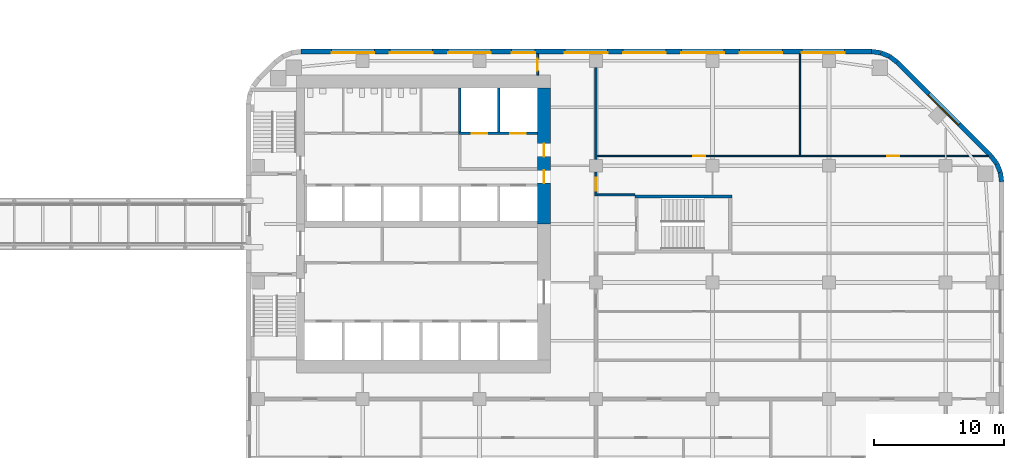
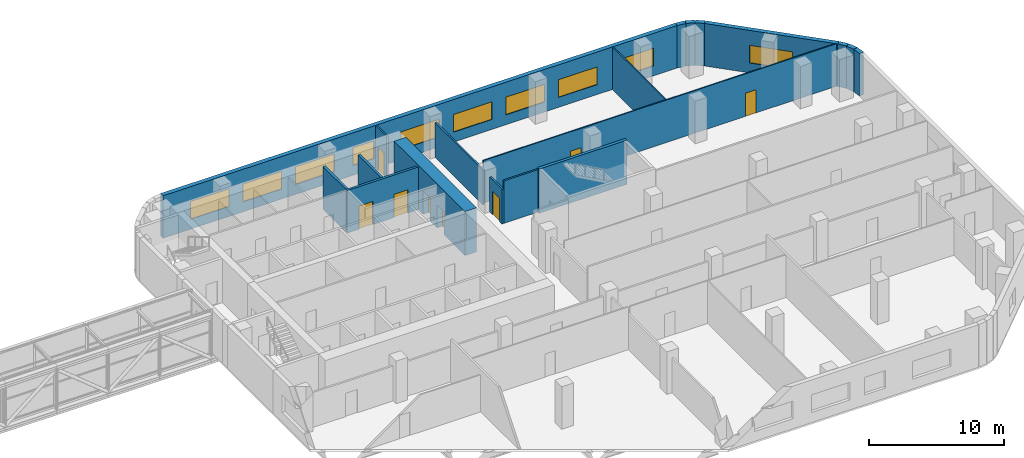
# One storey, part 20 of 24: 19 walls, 10 windows, 8 doors, 18 openings.
"""IFC4 building model written with IfcOpenShell, lengths in metres."""

from ifc_helpers import new_model, si_unit, direction, frame, frame_2d, origin, place, context, subcontext, project, spatial, rectangle, extrude, material, layer, layer_set, type_object, element, fill, save


model = new_model("IFC4")

# Units and contexts
model_context = context("Model", 3, precision=1e-05, world=origin(), true_north=direction((0.0, 1.0)))
body_context = subcontext(model_context, "Body", "Model", "MODEL_VIEW")
ifc_project = project(units=[si_unit("LENGTHUNIT", "METRE"), si_unit("AREAUNIT", "SQUARE_METRE"), si_unit("VOLUMEUNIT", "CUBIC_METRE"), si_unit("PLANEANGLEUNIT", "RADIAN"), si_unit("MASSUNIT", "GRAM", prefix="KILO")], contexts=[model_context])

# Site, building, storey
site_placement = place(None, origin())
site = spatial("IfcSite", under=ifc_project, at=site_placement, CompositionType="ELEMENT")
building_placement = place(site_placement, origin())
building = spatial("IfcBuilding", under=site, at=building_placement, Name="Cinnabar Reach Civic Tower", CompositionType="ELEMENT")
storey_placement = place(building_placement, frame((0.0, 0.0, 71.0)))
storey = spatial("IfcBuildingStorey", under=building, at=storey_placement, Name="L16", CompositionType="ELEMENT", Elevation=71.0)

# Walls
ifc_material_1 = material(Name="Facing brick with insulated backing", Category="masonry")
ifc_layer_1 = layer(ifc_material_1, 0.36)
ifc_layer_set_1 = layer_set([ifc_layer_1], Name="Brick corner wall")
wall_type_1 = type_object("IfcWallType", Name="Brick corner wall", PredefinedType="STANDARD", material=ifc_layer_set_1)
for number, where, z_axis, x_axis, name in (
    (1, (58.317, 34.7686, 0.0), (0.0, 0.0, 1.0), (-0.13055608231, 0.99144092581, 0.0), "Brick corner wall"),
    (2, (58.2181, 35.4973, 0.0), (0.0, 0.0, 1.0), (-0.382702709855, 0.923871547278, 0.0), "Brick corner wall"),
):
    element("IfcWall", number, at=place(storey_placement, frame(where, z_axis=z_axis, x_axis=x_axis)), inside=storey, type_object=wall_type_1, Name=name, PredefinedType="STANDARD", context=body_context, shape_type="SweptSolid", body=[
        extrude(rectangle(XDim=0.7131, YDim=0.36, at=frame_2d((0.3565, 0.0))), origin(), (0.0, 0.0, 1.0), 3.85),
    ])
for number, where, z_axis, x_axis, name in (
    (3, (57.934, 36.1755, 0.0), (0.0, 0.0, 1.0), (-0.608802368033, 0.793321924995, 0.0), "Brick corner wall"),
    (4, (50.2413, 43.9998, 0.0), (0.0, 0.0, 1.0), (-0.793321924995, 0.608802368033, 0.0), "Brick corner wall"),
):
    element("IfcWall", number, at=place(storey_placement, frame(where, z_axis=z_axis, x_axis=x_axis)), inside=storey, type_object=wall_type_1, Name=name, PredefinedType="STANDARD", context=body_context, shape_type="SweptSolid", body=[
        extrude(rectangle(XDim=0.7132, YDim=0.36, at=frame_2d((0.3566, 0.0))), origin(), (0.0, 0.0, 1.0), 3.85),
    ])
for number, where, z_axis, x_axis, name in (
    (5, (49.6561, 44.4452, 0.0), (0.0, 0.0, 1.0), (-0.923871547278, 0.382702709855, 0.0), "Brick corner wall"),
    (6, (48.9756, 44.7239, 0.0), (0.0, 0.0, 1.0), (-0.99144092581, 0.13055608231, 0.0), "Brick corner wall"),
):
    element("IfcWall", number, at=place(storey_placement, frame(where, z_axis=z_axis, x_axis=x_axis)), inside=storey, type_object=wall_type_1, Name=name, PredefinedType="STANDARD", context=body_context, shape_type="SweptSolid", body=[
        extrude(rectangle(XDim=0.7131, YDim=0.36, at=frame_2d((0.3565, 0.0))), origin(), (0.0, 0.0, 1.0), 3.85),
    ])

# Wall, opening, window
ifc_layer_2 = layer(ifc_material_1, 0.36)
ifc_layer_set_2 = layer_set([ifc_layer_2], Name="Brick pier and spandrel wall")
wall_type_2 = type_object("IfcWallType", Name="Brick pier and spandrel wall", PredefinedType="STANDARD", material=ifc_layer_set_2)
wall_1_placement = place(storey_placement, frame((57.494, 36.7514, 0.0), z_axis=(0.0, 0.0, 1.0), x_axis=(-0.707106781187, 0.707106781187, 0.0)))
wall_1 = element("IfcWall", 7, at=wall_1_placement, inside=storey, type_object=wall_type_2, Name="Brick facade wall", PredefinedType="STANDARD", context=body_context, shape_type="SweptSolid", body=[
    extrude(rectangle(XDim=10.2426, YDim=0.36, at=frame_2d((5.1213, 0.0))), origin(), (0.0, 0.0, 1.0), 3.85),
])
opening_1_placement = place(wall_1_placement, frame((3.4713, 0.0, 0.9)))
opening_1 = element("IfcOpeningElement", 8, at=opening_1_placement, cuts=wall_1, Name="Opening W1308", PredefinedType="OPENING", context=body_context, shape_type="SweptSolid", body=[
    extrude(rectangle(XDim=3.3, YDim=1.6, at=frame_2d((1.65, 0.8))), frame((0.0, 0.19, 0.0), z_axis=(0.0, -1.0, 0.0), x_axis=(1.0, 0.0, 0.0)), (0.0, 0.0, 1.0), 0.38),
])
ifc_material_2 = material(Name="Clear double glazing in aluminium frame", Category="aluminium")
window_type_1 = type_object("IfcWindowType", Name="Deep-set window A", PartitioningType="SINGLE_PANEL", PredefinedType="WINDOW", material=ifc_material_2)
window_1_placement = place(opening_1_placement, origin())
window_1 = element("IfcWindow", 9, at=window_1_placement, inside=storey, type_object=window_type_1, Name="Window northeast face", OverallHeight=1.6, OverallWidth=3.3, PartitioningType="SINGLE_PANEL", PredefinedType="WINDOW", context=body_context, shape_type="SweptSolid", body=[
    extrude(rectangle(XDim=3.3, YDim=1.6, at=frame_2d((1.65, 0.8))), frame((0.0, 0.13, 0.0), z_axis=(0.0, -1.0, 0.0), x_axis=(1.0, 0.0, 0.0)), (0.0, 0.0, 1.0), 0.06),
])
fill(opening_1, window_1)

# Wall, openings, windows
wall_2_placement = place(storey_placement, frame((48.2574, 44.82, 0.0), z_axis=(0.0, 0.0, 1.0), x_axis=(-1.0, 0.0, 0.0)))
wall_2 = element("IfcWall", 10, at=wall_2_placement, inside=storey, type_object=wall_type_2, Name="Brick facade wall", PredefinedType="STANDARD", context=body_context, shape_type="SweptSolid", body=[
    extrude(rectangle(XDim=44.0148, YDim=0.36, at=frame_2d((22.0074, 0.0))), origin(), (0.0, 0.0, 1.0), 3.85),
])
opening_2_placement = place(wall_2_placement, frame((2.0574, 0.0, 0.9)))
opening_2 = element("IfcOpeningElement", 11, at=opening_2_placement, cuts=wall_2, Name="Opening W1309", PredefinedType="OPENING", context=body_context, shape_type="SweptSolid", body=[
    extrude(rectangle(XDim=3.3, YDim=1.6, at=frame_2d((1.65, 0.8))), frame((0.0, 0.19, 0.0), z_axis=(0.0, -1.0, 0.0), x_axis=(1.0, 0.0, 0.0)), (0.0, 0.0, 1.0), 0.38),
])
opening_3_placement = place(wall_2_placement, frame((6.8574, 0.0, 0.9)))
opening_3 = element("IfcOpeningElement", 12, at=opening_3_placement, cuts=wall_2, Name="Opening W1310", PredefinedType="OPENING", context=body_context, shape_type="SweptSolid", body=[
    extrude(rectangle(XDim=3.3, YDim=1.6, at=frame_2d((1.65, 0.8))), frame((0.0, 0.19, 0.0), z_axis=(0.0, -1.0, 0.0), x_axis=(1.0, 0.0, 0.0)), (0.0, 0.0, 1.0), 0.38),
])
opening_4_placement = place(wall_2_placement, frame((11.3574, 0.0, 0.9)))
opening_4 = element("IfcOpeningElement", 13, at=opening_4_placement, cuts=wall_2, Name="Opening W1311", PredefinedType="OPENING", context=body_context, shape_type="SweptSolid", body=[
    extrude(rectangle(XDim=3.3, YDim=1.6, at=frame_2d((1.65, 0.8))), frame((0.0, 0.19, 0.0), z_axis=(0.0, -1.0, 0.0), x_axis=(1.0, 0.0, 0.0)), (0.0, 0.0, 1.0), 0.38),
])
opening_5_placement = place(wall_2_placement, frame((15.8574, 0.0, 0.9)))
opening_5 = element("IfcOpeningElement", 14, at=opening_5_placement, cuts=wall_2, Name="Opening W1312", PredefinedType="OPENING", context=body_context, shape_type="SweptSolid", body=[
    extrude(rectangle(XDim=3.3, YDim=1.6, at=frame_2d((1.65, 0.8))), frame((0.0, 0.19, 0.0), z_axis=(0.0, -1.0, 0.0), x_axis=(1.0, 0.0, 0.0)), (0.0, 0.0, 1.0), 0.38),
])
opening_6_placement = place(wall_2_placement, frame((20.3574, 0.0, 0.9)))
opening_6 = element("IfcOpeningElement", 15, at=opening_6_placement, cuts=wall_2, Name="Opening W1313", PredefinedType="OPENING", context=body_context, shape_type="SweptSolid", body=[
    extrude(rectangle(XDim=3.3, YDim=1.6, at=frame_2d((1.65, 0.8))), frame((0.0, 0.19, 0.0), z_axis=(0.0, -1.0, 0.0), x_axis=(1.0, 0.0, 0.0)), (0.0, 0.0, 1.0), 0.38),
])
opening_7_placement = place(wall_2_placement, frame((25.9574, 0.0, 0.9)))
opening_7 = element("IfcOpeningElement", 16, at=opening_7_placement, cuts=wall_2, Name="Opening W1314", PredefinedType="OPENING", context=body_context, shape_type="SweptSolid", body=[
    extrude(rectangle(XDim=1.8, YDim=1.6, at=frame_2d((0.9, 0.8))), frame((0.0, 0.19, 0.0), z_axis=(0.0, -1.0, 0.0), x_axis=(1.0, 0.0, 0.0)), (0.0, 0.0, 1.0), 0.38),
])
opening_8_placement = place(wall_2_placement, frame((29.3574, 0.0, 0.9)))
opening_8 = element("IfcOpeningElement", 17, at=opening_8_placement, cuts=wall_2, Name="Opening W1315", PredefinedType="OPENING", context=body_context, shape_type="SweptSolid", body=[
    extrude(rectangle(XDim=3.3, YDim=1.6, at=frame_2d((1.65, 0.8))), frame((0.0, 0.19, 0.0), z_axis=(0.0, -1.0, 0.0), x_axis=(1.0, 0.0, 0.0)), (0.0, 0.0, 1.0), 0.38),
])
opening_9_placement = place(wall_2_placement, frame((33.8574, 0.0, 0.9)))
opening_9 = element("IfcOpeningElement", 18, at=opening_9_placement, cuts=wall_2, Name="Opening W1316", PredefinedType="OPENING", context=body_context, shape_type="SweptSolid", body=[
    extrude(rectangle(XDim=3.3, YDim=1.6, at=frame_2d((1.65, 0.8))), frame((0.0, 0.19, 0.0), z_axis=(0.0, -1.0, 0.0), x_axis=(1.0, 0.0, 0.0)), (0.0, 0.0, 1.0), 0.38),
])
opening_10_placement = place(wall_2_placement, frame((38.3574, 0.0, 0.9)))
opening_10 = element("IfcOpeningElement", 19, at=opening_10_placement, cuts=wall_2, Name="Opening W1317", PredefinedType="OPENING", context=body_context, shape_type="SweptSolid", body=[
    extrude(rectangle(XDim=3.3, YDim=1.6, at=frame_2d((1.65, 0.8))), frame((0.0, 0.19, 0.0), z_axis=(0.0, -1.0, 0.0), x_axis=(1.0, 0.0, 0.0)), (0.0, 0.0, 1.0), 0.38),
])
window_2_placement = place(opening_2_placement, origin())
window_2 = element("IfcWindow", 20, at=window_2_placement, inside=storey, type_object=window_type_1, Name="Window north face", OverallHeight=1.6, OverallWidth=3.3, PartitioningType="SINGLE_PANEL", PredefinedType="WINDOW", context=body_context, shape_type="SweptSolid", body=[
    extrude(rectangle(XDim=3.3, YDim=1.6, at=frame_2d((1.65, 0.8))), frame((0.0, 0.13, 0.0), z_axis=(0.0, -1.0, 0.0), x_axis=(1.0, 0.0, 0.0)), (0.0, 0.0, 1.0), 0.06),
])
fill(opening_2, window_2)
window_3_placement = place(opening_3_placement, origin())
window_3 = element("IfcWindow", 21, at=window_3_placement, inside=storey, type_object=window_type_1, Name="Window north face", OverallHeight=1.6, OverallWidth=3.3, PartitioningType="SINGLE_PANEL", PredefinedType="WINDOW", context=body_context, shape_type="SweptSolid", body=[
    extrude(rectangle(XDim=3.3, YDim=1.6, at=frame_2d((1.65, 0.8))), frame((0.0, 0.13, 0.0), z_axis=(0.0, -1.0, 0.0), x_axis=(1.0, 0.0, 0.0)), (0.0, 0.0, 1.0), 0.06),
])
fill(opening_3, window_3)
window_4_placement = place(opening_4_placement, origin())
window_4 = element("IfcWindow", 22, at=window_4_placement, inside=storey, type_object=window_type_1, Name="Window north face", OverallHeight=1.6, OverallWidth=3.3, PartitioningType="SINGLE_PANEL", PredefinedType="WINDOW", context=body_context, shape_type="SweptSolid", body=[
    extrude(rectangle(XDim=3.3, YDim=1.6, at=frame_2d((1.65, 0.8))), frame((0.0, 0.13, 0.0), z_axis=(0.0, -1.0, 0.0), x_axis=(1.0, 0.0, 0.0)), (0.0, 0.0, 1.0), 0.06),
])
fill(opening_4, window_4)
window_5_placement = place(opening_5_placement, origin())
window_5 = element("IfcWindow", 23, at=window_5_placement, inside=storey, type_object=window_type_1, Name="Window north face", OverallHeight=1.6, OverallWidth=3.3, PartitioningType="SINGLE_PANEL", PredefinedType="WINDOW", context=body_context, shape_type="SweptSolid", body=[
    extrude(rectangle(XDim=3.3, YDim=1.6, at=frame_2d((1.65, 0.8))), frame((0.0, 0.13, 0.0), z_axis=(0.0, -1.0, 0.0), x_axis=(1.0, 0.0, 0.0)), (0.0, 0.0, 1.0), 0.06),
])
fill(opening_5, window_5)
window_6_placement = place(opening_6_placement, origin())
window_6 = element("IfcWindow", 24, at=window_6_placement, inside=storey, type_object=window_type_1, Name="Window north face", OverallHeight=1.6, OverallWidth=3.3, PartitioningType="SINGLE_PANEL", PredefinedType="WINDOW", context=body_context, shape_type="SweptSolid", body=[
    extrude(rectangle(XDim=3.3, YDim=1.6, at=frame_2d((1.65, 0.8))), frame((0.0, 0.13, 0.0), z_axis=(0.0, -1.0, 0.0), x_axis=(1.0, 0.0, 0.0)), (0.0, 0.0, 1.0), 0.06),
])
fill(opening_6, window_6)
window_7_placement = place(opening_8_placement, origin())
window_7 = element("IfcWindow", 25, at=window_7_placement, inside=storey, type_object=window_type_1, Name="Window north face", OverallHeight=1.6, OverallWidth=3.3, PartitioningType="SINGLE_PANEL", PredefinedType="WINDOW", context=body_context, shape_type="SweptSolid", body=[
    extrude(rectangle(XDim=3.3, YDim=1.6, at=frame_2d((1.65, 0.8))), frame((0.0, 0.13, 0.0), z_axis=(0.0, -1.0, 0.0), x_axis=(1.0, 0.0, 0.0)), (0.0, 0.0, 1.0), 0.06),
])
fill(opening_8, window_7)
window_8_placement = place(opening_9_placement, origin())
window_8 = element("IfcWindow", 26, at=window_8_placement, inside=storey, type_object=window_type_1, Name="Window north face", OverallHeight=1.6, OverallWidth=3.3, PartitioningType="SINGLE_PANEL", PredefinedType="WINDOW", context=body_context, shape_type="SweptSolid", body=[
    extrude(rectangle(XDim=3.3, YDim=1.6, at=frame_2d((1.65, 0.8))), frame((0.0, 0.13, 0.0), z_axis=(0.0, -1.0, 0.0), x_axis=(1.0, 0.0, 0.0)), (0.0, 0.0, 1.0), 0.06),
])
fill(opening_9, window_8)
window_9_placement = place(opening_10_placement, origin())
window_9 = element("IfcWindow", 27, at=window_9_placement, inside=storey, type_object=window_type_1, Name="Window north face", OverallHeight=1.6, OverallWidth=3.3, PartitioningType="SINGLE_PANEL", PredefinedType="WINDOW", context=body_context, shape_type="SweptSolid", body=[
    extrude(rectangle(XDim=3.3, YDim=1.6, at=frame_2d((1.65, 0.8))), frame((0.0, 0.13, 0.0), z_axis=(0.0, -1.0, 0.0), x_axis=(1.0, 0.0, 0.0)), (0.0, 0.0, 1.0), 0.06),
])
fill(opening_10, window_9)
window_type_2 = type_object("IfcWindowType", Name="Deep-set window D", PartitioningType="SINGLE_PANEL", PredefinedType="WINDOW", material=ifc_material_2)
window_10_placement = place(opening_7_placement, origin())
window_10 = element("IfcWindow", 28, at=window_10_placement, inside=storey, type_object=window_type_2, Name="Window north face", OverallHeight=1.6, OverallWidth=1.8, PartitioningType="SINGLE_PANEL", PredefinedType="WINDOW", context=body_context, shape_type="SweptSolid", body=[
    extrude(rectangle(XDim=1.8, YDim=1.6, at=frame_2d((0.9, 0.8))), frame((0.0, 0.13, 0.0), z_axis=(0.0, -1.0, 0.0), x_axis=(1.0, 0.0, 0.0)), (0.0, 0.0, 1.0), 0.06),
])
fill(opening_7, window_10)

# Wall, openings, doors
ifc_material_3 = material(Name="Concrete C70", Category="concrete")
ifc_layer_3 = layer(ifc_material_3, 1.0)
ifc_layer_set_3 = layer_set([ifc_layer_3], Name="Core wall 1000 EI 180")
wall_type_3 = type_object("IfcWallType", Name="Core wall 1000 EI 180", PredefinedType="SOLIDWALL", material=ifc_layer_set_3)
wall_3_placement = place(storey_placement, frame((23.0, 31.5, 0.0), z_axis=(0.0, 0.0, 1.0), x_axis=(0.0, 1.0, 0.0)))
wall_3 = element("IfcWall", 29, at=wall_3_placement, inside=storey, type_object=wall_type_3, Name="Core wall T1 L16 E2", PredefinedType="SOLIDWALL", context=body_context, shape_type="SweptSolid", body=[
    extrude(rectangle(XDim=10.5, YDim=1.0, at=frame_2d((5.25, 0.0))), origin(), (0.0, 0.0, 1.0), 4.0),
])
opening_11_placement = place(wall_3_placement, frame((3.15, 0.0, 0.0)))
opening_11 = element("IfcOpeningElement", 30, at=opening_11_placement, cuts=wall_3, Name="Opening D3649", PredefinedType="OPENING", context=body_context, shape_type="SweptSolid", body=[
    extrude(rectangle(XDim=1.0, YDim=2.1, at=frame_2d((0.5, 1.05))), frame((0.0, 0.51, 0.0), z_axis=(0.0, -1.0, 0.0), x_axis=(1.0, 0.0, 0.0)), (0.0, 0.0, 1.0), 1.02),
])
opening_12_placement = place(wall_3_placement, frame((5.2, 0.0, 0.0)))
opening_12 = element("IfcOpeningElement", 31, at=opening_12_placement, cuts=wall_3, Name="Opening D3650", PredefinedType="OPENING", context=body_context, shape_type="SweptSolid", body=[
    extrude(rectangle(XDim=1.0, YDim=2.1, at=frame_2d((0.5, 1.05))), frame((0.0, 0.51, 0.0), z_axis=(0.0, -1.0, 0.0), x_axis=(1.0, 0.0, 0.0)), (0.0, 0.0, 1.0), 1.02),
])
ifc_material_4 = material(Name="Timber door leaf in steel frame", Category="steel")
door_type_1 = type_object("IfcDoorType", Name="Firefighting lobby door 1000 x 2100 T1", OperationType="SINGLE_SWING_LEFT", PredefinedType="DOOR", material=ifc_material_4)
door_1_placement = place(opening_12_placement, origin())
door_1 = element("IfcDoor", 32, at=door_1_placement, inside=storey, type_object=door_type_1, Name="Door D3650", OperationType="SINGLE_SWING_RIGHT", OverallHeight=2.1, OverallWidth=1.0, PredefinedType="DOOR", context=body_context, shape_type="SweptSolid", body=[
    extrude(rectangle(XDim=1.0, YDim=2.1, at=frame_2d((0.5, 1.05))), frame((0.0, 0.025, 0.0), z_axis=(0.0, -1.0, 0.0), x_axis=(1.0, 0.0, 0.0)), (0.0, 0.0, 1.0), 0.05),
])
fill(opening_12, door_1)
door_type_2 = type_object("IfcDoorType", Name="Single swing door 1000 x 2100 T1", OperationType="SINGLE_SWING_LEFT", PredefinedType="DOOR", material=ifc_material_4)
door_2_placement = place(opening_11_placement, origin())
door_2 = element("IfcDoor", 33, at=door_2_placement, inside=storey, type_object=door_type_2, Name="Door D3649", OperationType="SINGLE_SWING_RIGHT", OverallHeight=2.1, OverallWidth=1.0, PredefinedType="DOOR", context=body_context, shape_type="SweptSolid", body=[
    extrude(rectangle(XDim=1.0, YDim=2.1, at=frame_2d((0.5, 1.05))), frame((0.0, 0.025, 0.0), z_axis=(0.0, -1.0, 0.0), x_axis=(1.0, 0.0, 0.0)), (0.0, 0.0, 1.0), 0.05),
])
fill(opening_11, door_2)

# Wall, opening, door
ifc_material_5 = material(Name="Gypsum board on steel studs, double layer", Category="steel")
ifc_layer_4 = layer(ifc_material_5, 0.15)
ifc_layer_set_4 = layer_set([ifc_layer_4], Name="Corridor wall 150 T1")
wall_type_4 = type_object("IfcWallType", Name="Corridor wall 150 T1", PredefinedType="PARTITIONING", material=ifc_layer_set_4)
wall_4_placement = place(storey_placement, frame((27.0, 33.675, 0.0), z_axis=(0.0, 0.0, 1.0), x_axis=(0.0, 1.0, 0.0)))
wall_4 = element("IfcWall", 34, at=wall_4_placement, inside=storey, type_object=wall_type_4, Name="Corridor wall 29", PredefinedType="PARTITIONING", context=body_context, shape_type="SweptSolid", body=[
    extrude(rectangle(XDim=1.825, YDim=0.15, at=frame_2d((0.9125, 0.0))), origin(), (0.0, 0.0, 1.0), 3.158),
])
opening_13_placement = place(wall_4_placement, frame((0.4, 0.0, 0.0)))
opening_13 = element("IfcOpeningElement", 35, at=opening_13_placement, cuts=wall_4, Name="Opening D3658", PredefinedType="OPENING", context=body_context, shape_type="SweptSolid", body=[
    extrude(rectangle(XDim=1.0, YDim=2.1, at=frame_2d((0.5, 1.05))), frame((0.0, 0.085, 0.0), z_axis=(0.0, -1.0, 0.0), x_axis=(1.0, 0.0, 0.0)), (0.0, 0.0, 1.0), 0.17),
])
door_type_3 = type_object("IfcDoorType", Name="Tenancy entrance door 1000 x 2100 T1", OperationType="SINGLE_SWING_LEFT", PredefinedType="DOOR", material=ifc_material_4)
door_3_placement = place(opening_13_placement, frame((1.0, 0.0, 0.0), z_axis=(0.0, 0.0, 1.0), x_axis=(-1.0, 0.0, 0.0)))
door_3 = element("IfcDoor", 36, at=door_3_placement, inside=storey, type_object=door_type_3, Name="Door D3658", OperationType="SINGLE_SWING_RIGHT", OverallHeight=2.1, OverallWidth=1.0, PredefinedType="DOOR", context=body_context, shape_type="SweptSolid", body=[
    extrude(rectangle(XDim=1.0, YDim=2.1, at=frame_2d((0.5, 1.05))), frame((0.0, 0.025, 0.0), z_axis=(0.0, -1.0, 0.0), x_axis=(1.0, 0.0, 0.0)), (0.0, 0.0, 1.0), 0.05),
])
fill(opening_13, door_3)

# Walls
wall_5_placement = place(storey_placement, frame((27.0, 36.5, 0.0), z_axis=(0.0, 0.0, 1.0), x_axis=(0.0, 1.0, 0.0)))
element("IfcWall", 37, at=wall_5_placement, inside=storey, type_object=wall_type_4, Name="Corridor wall 30", PredefinedType="PARTITIONING", context=body_context, shape_type="SweptSolid", body=[
    extrude(rectangle(XDim=7.1, YDim=0.15, at=frame_2d((3.55, 0.0))), origin(), (0.0, 0.0, 1.0), 3.158),
])
wall_6_placement = place(storey_placement, frame((27.075, 33.75, 0.0), z_axis=(0.0, 0.0, 1.0), x_axis=(1.0, 0.0, 0.0)))
element("IfcWall", 38, at=wall_6_placement, inside=storey, type_object=wall_type_4, Name="Corridor wall 34", PredefinedType="PARTITIONING", context=body_context, shape_type="SweptSolid", body=[
    extrude(rectangle(XDim=2.925, YDim=0.15, at=frame_2d((1.4625, 0.0))), origin(), (0.0, 0.0, 1.0), 3.85),
])

# Wall, opening, door
wall_7_placement = place(storey_placement, frame((22.5, 43.0, 0.0), z_axis=(0.0, 0.0, 1.0), x_axis=(0.0, 1.0, 0.0)))
wall_7 = element("IfcWall", 39, at=wall_7_placement, inside=storey, type_object=wall_type_4, Name="Corridor wall 36", PredefinedType="PARTITIONING", context=body_context, shape_type="SweptSolid", body=[
    extrude(rectangle(XDim=1.64, YDim=0.15, at=frame_2d((0.82, 0.0))), origin(), (0.0, 0.0, 1.0), 3.85),
])
opening_14_placement = place(wall_7_placement, frame((0.35, 0.0, 0.0)))
opening_14 = element("IfcOpeningElement", 40, at=opening_14_placement, cuts=wall_7, Name="Opening D5780", PredefinedType="OPENING", context=body_context, shape_type="SweptSolid", body=[
    extrude(rectangle(XDim=0.9, YDim=2.1, at=frame_2d((0.45, 1.05))), frame((0.0, 0.085, 0.0), z_axis=(0.0, -1.0, 0.0), x_axis=(1.0, 0.0, 0.0)), (0.0, 0.0, 1.0), 0.17),
])
door_type_4 = type_object("IfcDoorType", Name="Single swing door 900 x 2100 corridor T1", OperationType="SINGLE_SWING_LEFT", PredefinedType="DOOR", material=ifc_material_4)
door_4_placement = place(opening_14_placement, origin())
door_4 = element("IfcDoor", 41, at=door_4_placement, inside=storey, type_object=door_type_4, Name="Door D5780", OperationType="SINGLE_SWING_LEFT", OverallHeight=2.1, OverallWidth=0.9, PredefinedType="DOOR", context=body_context, shape_type="SweptSolid", body=[
    extrude(rectangle(XDim=0.9, YDim=2.1, at=frame_2d((0.45, 1.05))), frame((0.0, 0.025, 0.0), z_axis=(0.0, -1.0, 0.0), x_axis=(1.0, 0.0, 0.0)), (0.0, 0.0, 1.0), 0.05),
])
fill(opening_14, door_4)

# Walls
ifc_material_6 = material(Name="Blockwork", Category="masonry")
ifc_layer_5 = layer(ifc_material_6, 0.2)
ifc_layer_set_5 = layer_set([ifc_layer_5], Name="Lift shaft wall 200 T1")
wall_type_5 = type_object("IfcWallType", Name="Lift shaft wall 200 T1", PredefinedType="PARTITIONING", material=ifc_layer_set_5)
for number, where, z_axis, x_axis, name in (
    (42, (16.5, 38.6, 0.0), (0.0, 0.0, 1.0), (0.0, 1.0, 0.0), "Lift shaft wall 6"),
    (43, (19.5, 38.6, 0.0), (0.0, 0.0, 1.0), (0.0, 1.0, 0.0), "Lift shaft wall 7"),
):
    element("IfcWall", number, at=place(storey_placement, frame(where, z_axis=z_axis, x_axis=x_axis)), inside=storey, type_object=wall_type_5, Name=name, PredefinedType="PARTITIONING", context=body_context, shape_type="SweptSolid", body=[
        extrude(rectangle(XDim=3.4, YDim=0.2, at=frame_2d((1.7, 0.0))), origin(), (0.0, 0.0, 1.0), 3.85),
    ])

# Wall, openings, doors
ifc_material_7 = material(Name="Gypsum board on steel studs", Category="steel")
ifc_layer_6 = layer(ifc_material_7, 0.1)
ifc_layer_set_6 = layer_set([ifc_layer_6], Name="Partition wall 100 T1")
wall_type_6 = type_object("IfcWallType", Name="Partition wall 100 T1", PredefinedType="PARTITIONING", material=ifc_layer_set_6)
wall_8_placement = place(storey_placement, frame((27.075, 36.75, 0.0), z_axis=(0.0, 0.0, 1.0), x_axis=(1.0, 0.0, 0.0)))
wall_8 = element("IfcWall", 44, at=wall_8_placement, inside=storey, type_object=wall_type_6, Name="Partition wall 48", PredefinedType="PARTITIONING", context=body_context, shape_type="SweptSolid", body=[
    extrude(rectangle(XDim=30.2159, YDim=0.1, at=frame_2d((15.108, 0.0))), origin(), (0.0, 0.0, 1.0), 3.85),
])
opening_15_placement = place(wall_8_placement, frame((7.45, 0.0, 0.0)))
opening_15 = element("IfcOpeningElement", 45, at=opening_15_placement, cuts=wall_8, Name="Opening D3659", PredefinedType="OPENING", context=body_context, shape_type="SweptSolid", body=[
    extrude(rectangle(XDim=0.9, YDim=2.1, at=frame_2d((0.45, 1.05))), frame((0.0, 0.06, 0.0), z_axis=(0.0, -1.0, 0.0), x_axis=(1.0, 0.0, 0.0)), (0.0, 0.0, 1.0), 0.12),
])
opening_16_placement = place(wall_8_placement, frame((22.425, 0.0, 0.0)))
opening_16 = element("IfcOpeningElement", 46, at=opening_16_placement, cuts=wall_8, Name="Opening D3660", PredefinedType="OPENING", context=body_context, shape_type="SweptSolid", body=[
    extrude(rectangle(XDim=0.9, YDim=2.1, at=frame_2d((0.45, 1.05))), frame((0.0, 0.06, 0.0), z_axis=(0.0, -1.0, 0.0), x_axis=(1.0, 0.0, 0.0)), (0.0, 0.0, 1.0), 0.12),
])
door_type_5 = type_object("IfcDoorType", Name="Single swing door 900 x 2100 T1", OperationType="SINGLE_SWING_LEFT", PredefinedType="DOOR", material=ifc_material_4)
door_5_placement = place(opening_15_placement, origin())
door_5 = element("IfcDoor", 47, at=door_5_placement, inside=storey, type_object=door_type_5, Name="Door D3659", OperationType="SINGLE_SWING_RIGHT", OverallHeight=2.1, OverallWidth=0.9, PredefinedType="DOOR", context=body_context, shape_type="SweptSolid", body=[
    extrude(rectangle(XDim=0.9, YDim=2.1, at=frame_2d((0.45, 1.05))), frame((0.0, 0.025, 0.0), z_axis=(0.0, -1.0, 0.0), x_axis=(1.0, 0.0, 0.0)), (0.0, 0.0, 1.0), 0.05),
])
fill(opening_15, door_5)
door_6_placement = place(opening_16_placement, origin())
door_6 = element("IfcDoor", 48, at=door_6_placement, inside=storey, type_object=door_type_5, Name="Door D3660", OperationType="SINGLE_SWING_RIGHT", OverallHeight=2.1, OverallWidth=0.9, PredefinedType="DOOR", context=body_context, shape_type="SweptSolid", body=[
    extrude(rectangle(XDim=0.9, YDim=2.1, at=frame_2d((0.45, 1.05))), frame((0.0, 0.025, 0.0), z_axis=(0.0, -1.0, 0.0), x_axis=(1.0, 0.0, 0.0)), (0.0, 0.0, 1.0), 0.05),
])
fill(opening_16, door_6)

# Wall
wall_9_placement = place(storey_placement, frame((42.75, 36.8, 0.0), z_axis=(0.0, 0.0, 1.0), x_axis=(0.0, 1.0, 0.0)))
element("IfcWall", 49, at=wall_9_placement, inside=storey, type_object=wall_type_6, Name="Partition wall 54", PredefinedType="PARTITIONING", context=body_context, shape_type="SweptSolid", body=[
    extrude(rectangle(XDim=7.84, YDim=0.1, at=frame_2d((3.92, 0.0))), origin(), (0.0, 0.0, 1.0), 3.85),
])

# Wall, openings, doors
ifc_material_8 = material(Name="Concrete C40", Category="concrete")
ifc_layer_7 = layer(ifc_material_8, 0.2)
ifc_layer_set_7 = layer_set([ifc_layer_7], Name="Refuge compartment wall 200 T1")
wall_type_7 = type_object("IfcWallType", Name="Refuge compartment wall 200 T1", PredefinedType="PARTITIONING", material=ifc_layer_set_7)
wall_10_placement = place(storey_placement, frame((16.4, 38.5, 0.0), z_axis=(0.0, 0.0, 1.0), x_axis=(1.0, 0.0, 0.0)))
wall_10 = element("IfcWall", 50, at=wall_10_placement, inside=storey, type_object=wall_type_7, Name="Refuge compartment wall 2", PredefinedType="PARTITIONING", context=body_context, shape_type="SweptSolid", body=[
    extrude(rectangle(XDim=6.1, YDim=0.2, at=frame_2d((3.05, 0.0))), origin(), (0.0, 0.0, 1.0), 3.85),
])
opening_17_placement = place(wall_10_placement, frame((1.0, 0.0, 0.0)))
opening_17 = element("IfcOpeningElement", 51, at=opening_17_placement, cuts=wall_10, Name="Opening D3646", PredefinedType="OPENING", context=body_context, shape_type="SweptSolid", body=[
    extrude(rectangle(XDim=1.2, YDim=2.1, at=frame_2d((0.6, 1.05))), frame((0.0, 0.11, 0.0), z_axis=(0.0, -1.0, 0.0), x_axis=(1.0, 0.0, 0.0)), (0.0, 0.0, 1.0), 0.22),
])
opening_18_placement = place(wall_10_placement, frame((4.0, 0.0, 0.0)))
opening_18 = element("IfcOpeningElement", 52, at=opening_18_placement, cuts=wall_10, Name="Opening D3647", PredefinedType="OPENING", context=body_context, shape_type="SweptSolid", body=[
    extrude(rectangle(XDim=1.2, YDim=2.1, at=frame_2d((0.6, 1.05))), frame((0.0, 0.11, 0.0), z_axis=(0.0, -1.0, 0.0), x_axis=(1.0, 0.0, 0.0)), (0.0, 0.0, 1.0), 0.22),
])
ifc_material_9 = material(Name="Stainless steel sliding door", Category="steel")
door_type_6 = type_object("IfcDoorType", Name="Firefighting lift landing door 1200 x 2100 T1", OperationType="SLIDING_TO_LEFT", PredefinedType="DOOR", material=ifc_material_9)
door_7_placement = place(opening_17_placement, origin())
door_7 = element("IfcDoor", 53, at=door_7_placement, inside=storey, type_object=door_type_6, Name="Lift landing door FF1 L16", OperationType="SLIDING_TO_LEFT", OverallHeight=2.1, OverallWidth=1.2, PredefinedType="DOOR", context=body_context, shape_type="SweptSolid", body=[
    extrude(rectangle(XDim=1.2, YDim=2.1, at=frame_2d((0.6, 1.05))), frame((0.0, 0.025, 0.0), z_axis=(0.0, -1.0, 0.0), x_axis=(1.0, 0.0, 0.0)), (0.0, 0.0, 1.0), 0.05),
])
fill(opening_17, door_7)
door_8_placement = place(opening_18_placement, origin())
door_8 = element("IfcDoor", 54, at=door_8_placement, inside=storey, type_object=door_type_6, Name="Lift landing door FF2 L16", OperationType="SLIDING_TO_LEFT", OverallHeight=2.1, OverallWidth=1.2, PredefinedType="DOOR", context=body_context, shape_type="SweptSolid", body=[
    extrude(rectangle(XDim=1.2, YDim=2.1, at=frame_2d((0.6, 1.05))), frame((0.0, 0.025, 0.0), z_axis=(0.0, -1.0, 0.0), x_axis=(1.0, 0.0, 0.0)), (0.0, 0.0, 1.0), 0.05),
])
fill(opening_18, door_8)

# Wall
ifc_material_10 = material(Name="Concrete C60", Category="concrete")
ifc_layer_8 = layer(ifc_material_10, 0.25)
ifc_layer_set_8 = layer_set([ifc_layer_8], Name="Stair shaft wall 250 EI 120")
wall_type_8 = type_object("IfcWallType", Name="Stair shaft wall 250 EI 120", PredefinedType="SOLIDWALL", material=ifc_layer_set_8)
wall_11_placement = place(storey_placement, frame((37.5, 33.625, 0.0), z_axis=(0.0, 0.0, 1.0), x_axis=(-1.0, 0.0, 0.0)))
element("IfcWall", 55, at=wall_11_placement, inside=storey, type_object=wall_type_8, Name="Stair shaft wall T1-S3 L16", PredefinedType="SOLIDWALL", context=body_context, shape_type="SweptSolid", body=[
    extrude(rectangle(XDim=7.5, YDim=0.25, at=frame_2d((3.75, 0.0))), origin(), (0.0, 0.0, 1.0), 4.0),
])

save(model, "model.ifc")
